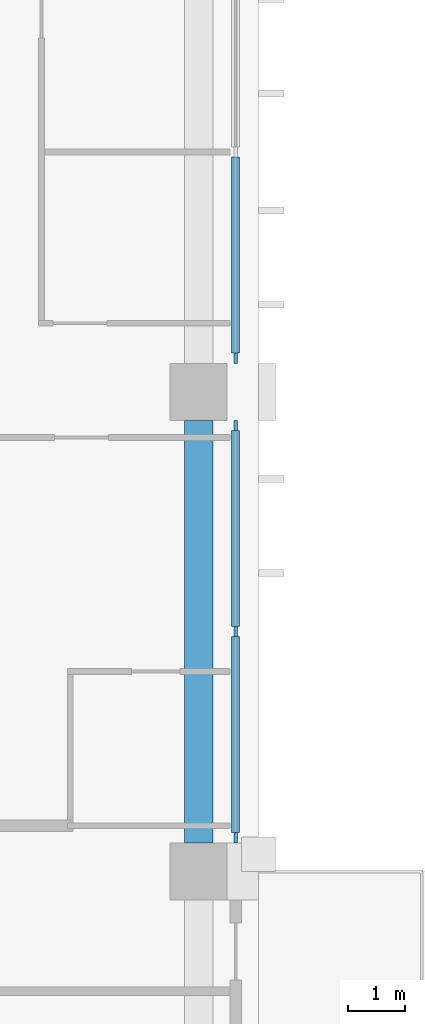
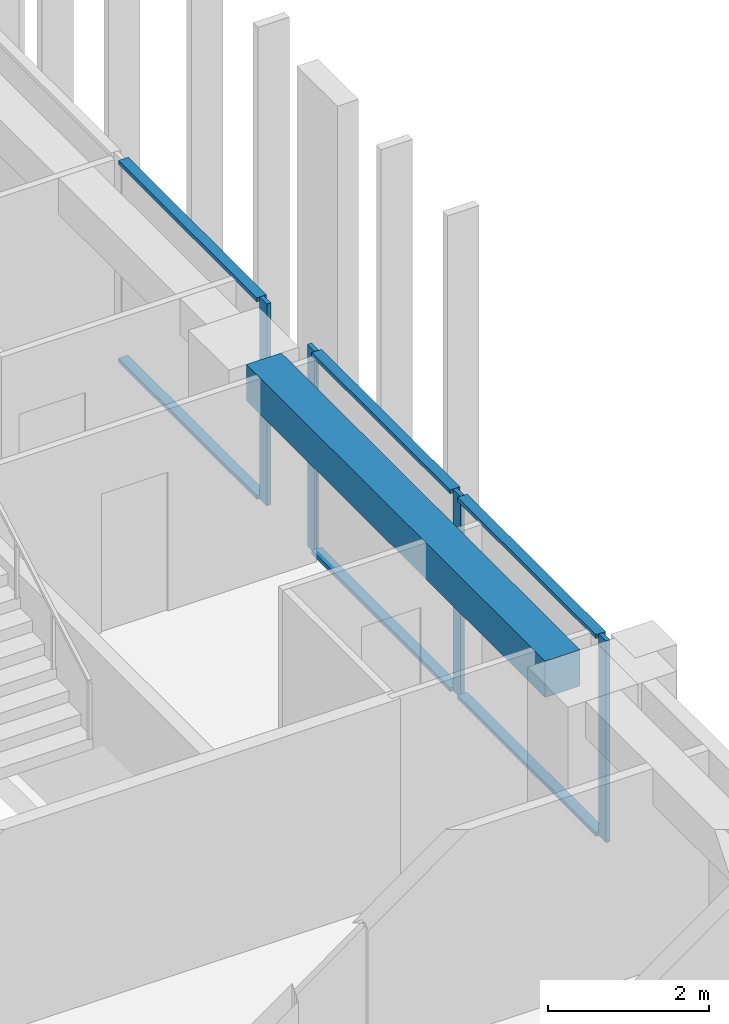
# One storey, part 4 of 18: 10 members, 1 beam, 2 elements without a shape of their own.
"""IFC4 building model written with IfcOpenShell, lengths in metres."""

from ifc_helpers import new_model, si_unit, direction, frame, origin, origin_2d, place, context, subcontext, project, spatial, rectangle, extrude, material, material_profile, profile_set, type_object, element, aggregate, save


model = new_model("IFC4")

# Units and contexts
model_context = context("Model", 3, precision=1e-05, world=origin(), true_north=direction((0.0, 1.0)))
body_context = subcontext(model_context, "Body", "Model", "MODEL_VIEW")
ifc_project = project(units=[si_unit("LENGTHUNIT", "METRE"), si_unit("AREAUNIT", "SQUARE_METRE"), si_unit("VOLUMEUNIT", "CUBIC_METRE"), si_unit("PLANEANGLEUNIT", "RADIAN"), si_unit("MASSUNIT", "GRAM", prefix="KILO")], contexts=[model_context])

# Site, building, storey
site_placement = place(None, origin())
site = spatial("IfcSite", under=ifc_project, at=site_placement, CompositionType="ELEMENT")
building_placement = place(site_placement, origin())
building = spatial("IfcBuilding", under=site, at=building_placement, Name="Vermilion Ogive Tower", CompositionType="ELEMENT")
storey_placement = place(building_placement, frame((0.0, 0.0, 185.89990234375)))
storey = spatial("IfcBuildingStorey", under=building, at=storey_placement, Name="L48", CompositionType="ELEMENT", Elevation=185.89990234375)

# Curtain wall, members
ifc_material_1 = material(Name="Low-iron laminated glazing in aluminium frame", Category="aluminium")
curtain_wall_type = type_object("IfcCurtainWallType", Name="Curtain wall CW7", PredefinedType="NOTDEFINED", material=ifc_material_1)
curtain_wall_1_placement = place(storey_placement, origin())
curtain_wall_1 = element("IfcCurtainWall", 1, at=curtain_wall_1_placement, inside=storey, type_object=curtain_wall_type, Name="Glazed skin E2", PredefinedType="NOTDEFINED")
ifc_material_2 = material(Name="Aluminium mullion", Category="aluminium")
ifc_material_profile_1 = material_profile(ifc_material_2, rectangle(XDim=0.06005859375, YDim=0.179931640625, at=origin_2d()), Name="AL 60x180")
ifc_profile_set_1 = profile_set([ifc_material_profile_1], Name="Aluminium mullion")
member_type_1 = type_object("IfcMemberType", Name="CW7 mullion 60x180", PredefinedType="MULLION", material=ifc_profile_set_1)
member_1_placement = place(storey_placement, frame((25.85009765625, -3.610107421875, 0.0), z_axis=(0.0, 0.0, 1.0), x_axis=(-1.0, 0.0, 0.0)))
member_1 = element("IfcMember", 2, at=member_1_placement, type_object=member_type_1, Name="CW7-E2 mullion 1", PredefinedType="MULLION", context=body_context, shape_type="SweptSolid", body=[
    extrude(rectangle(XDim=0.06005859375, YDim=0.179931640625, at=origin_2d()), origin(), (0.0, 0.0, 1.0), 3.050048828125),
])
member_2_placement = place(storey_placement, frame((25.85009765625, 0.0, 0.0), z_axis=(0.0, 0.0, 1.0), x_axis=(-1.0, 0.0, 0.0)))
member_2 = element("IfcMember", 3, at=member_2_placement, type_object=member_type_1, Name="CW7-E2 mullion 2", PredefinedType="MULLION", context=body_context, shape_type="SweptSolid", body=[
    extrude(rectangle(XDim=0.06005859375, YDim=0.179931640625, at=origin_2d()), origin(), (0.0, 0.0, 1.0), 3.050048828125),
])
member_3_placement = place(storey_placement, frame((25.85009765625, 3.610107421875, 0.0), z_axis=(0.0, 0.0, 1.0), x_axis=(-1.0, 0.0, 0.0)))
member_3 = element("IfcMember", 4, at=member_3_placement, type_object=member_type_1, Name="CW7-E2 mullion 3", PredefinedType="MULLION", context=body_context, shape_type="SweptSolid", body=[
    extrude(rectangle(XDim=0.06005859375, YDim=0.179931640625, at=origin_2d()), origin(), (0.0, 0.0, 1.0), 3.050048828125),
])

# Curtain wall, member
curtain_wall_2_placement = place(storey_placement, origin())
curtain_wall_2 = element("IfcCurtainWall", 5, at=curtain_wall_2_placement, inside=storey, type_object=curtain_wall_type, Name="Glazed skin E3", PredefinedType="NOTDEFINED")
member_4_placement = place(storey_placement, frame((25.85009765625, 4.7900390625, 0.0), z_axis=(0.0, 0.0, 1.0), x_axis=(-1.0, 0.0, 0.0)))
member_4 = element("IfcMember", 6, at=member_4_placement, type_object=member_type_1, Name="CW7-E3 mullion 1", PredefinedType="MULLION", context=body_context, shape_type="SweptSolid", body=[
    extrude(rectangle(XDim=0.06005859375, YDim=0.179931640625, at=origin_2d()), origin(), (0.0, 0.0, 1.0), 3.050048828125),
])

# Member
ifc_material_3 = material(Name="Aluminium transom", Category="aluminium")
ifc_material_profile_2 = material_profile(ifc_material_3, rectangle(XDim=0.139892578125, YDim=0.06005859375, at=origin_2d()), Name="AL 60x140")
ifc_profile_set_2 = profile_set([ifc_material_profile_2], Name="Aluminium transom")
member_type_2 = type_object("IfcMemberType", Name="CW7 transom 60x140", PredefinedType="USERDEFINED", material=ifc_profile_set_2)
member_5_placement = place(storey_placement, frame((25.85009765625, -3.52001953125, 0.030029296875), z_axis=(0.0, 1.0, 0.0), x_axis=(-1.0, 0.0, 0.0)))
member_5 = element("IfcMember", 7, at=member_5_placement, type_object=member_type_2, Name="CW7-E2 transom 1.1", ObjectType="TRANSOM", PredefinedType="USERDEFINED", context=body_context, shape_type="SweptSolid", body=[
    extrude(rectangle(XDim=0.139892578125, YDim=0.06005859375, at=origin_2d()), origin(), (0.0, 0.0, 1.0), 3.429931640625),
])

member_6_placement = place(storey_placement, frame((25.85009765625, -3.52001953125, 3.02001953125), z_axis=(0.0, 1.0, 0.0), x_axis=(-1.0, 0.0, 0.0)))
member_6 = element("IfcMember", 8, at=member_6_placement, type_object=member_type_2, Name="CW7-E2 transom 1.2", ObjectType="TRANSOM", PredefinedType="USERDEFINED", context=body_context, shape_type="SweptSolid", body=[
    extrude(rectangle(XDim=0.139892578125, YDim=0.06005859375, at=origin_2d()), origin(), (0.0, 0.0, 1.0), 3.429931640625),
])

member_7_placement = place(storey_placement, frame((25.85009765625, 0.090087890625, 0.030029296875), z_axis=(0.0, 1.0, 0.0), x_axis=(-1.0, 0.0, 0.0)))
member_7 = element("IfcMember", 9, at=member_7_placement, type_object=member_type_2, Name="CW7-E2 transom 2.1", ObjectType="TRANSOM", PredefinedType="USERDEFINED", context=body_context, shape_type="SweptSolid", body=[
    extrude(rectangle(XDim=0.139892578125, YDim=0.06005859375, at=origin_2d()), origin(), (0.0, 0.0, 1.0), 3.429931640625),
])

member_8_placement = place(storey_placement, frame((25.85009765625, 0.090087890625, 3.02001953125), z_axis=(0.0, 1.0, 0.0), x_axis=(-1.0, 0.0, 0.0)))
member_8 = element("IfcMember", 10, at=member_8_placement, type_object=member_type_2, Name="CW7-E2 transom 2.2", ObjectType="TRANSOM", PredefinedType="USERDEFINED", context=body_context, shape_type="SweptSolid", body=[
    extrude(rectangle(XDim=0.139892578125, YDim=0.06005859375, at=origin_2d()), origin(), (0.0, 0.0, 1.0), 3.429931640625),
])

aggregate(curtain_wall_1, [member_1, member_2, member_3, member_5, member_6, member_7, member_8])

member_9_placement = place(storey_placement, frame((25.85009765625, 4.8798828125, 0.030029296875), z_axis=(0.0, 1.0, 0.0), x_axis=(-1.0, 0.0, 0.0)))
member_9 = element("IfcMember", 11, at=member_9_placement, type_object=member_type_2, Name="CW7-E3 transom 1.1", ObjectType="TRANSOM", PredefinedType="USERDEFINED", context=body_context, shape_type="SweptSolid", body=[
    extrude(rectangle(XDim=0.139892578125, YDim=0.06005859375, at=origin_2d()), origin(), (0.0, 0.0, 1.0), 3.43017578125),
])

member_10_placement = place(storey_placement, frame((25.85009765625, 4.8798828125, 3.02001953125), z_axis=(0.0, 1.0, 0.0), x_axis=(-1.0, 0.0, 0.0)))
member_10 = element("IfcMember", 12, at=member_10_placement, type_object=member_type_2, Name="CW7-E3 transom 1.2", ObjectType="TRANSOM", PredefinedType="USERDEFINED", context=body_context, shape_type="SweptSolid", body=[
    extrude(rectangle(XDim=0.139892578125, YDim=0.06005859375, at=origin_2d()), origin(), (0.0, 0.0, 1.0), 3.43017578125),
])

aggregate(curtain_wall_2, [member_4, member_9, member_10])

# Beam
ifc_material_4 = material(Name="Concrete B45", Category="concrete")
ifc_material_profile_3 = material_profile(ifc_material_4, rectangle(XDim=0.5, YDim=0.550048828125, at=origin_2d()), Name="500 x 550")
ifc_profile_set_3 = profile_set([ifc_material_profile_3], Name="Concrete B45")
beam_type = type_object("IfcBeamType", Name="Edge beam 500 x 550 B45", PredefinedType="BEAM", material=ifc_profile_set_3)
beam_placement = place(storey_placement, frame((25.199951171875, -3.699951171875, 2.775146484375), z_axis=(0.0, 1.0, 0.0), x_axis=(-1.0, 0.0, 0.0)))
element("IfcBeam", 13, at=beam_placement, inside=storey, type_object=beam_type, Name="L48-EB-8", PredefinedType="BEAM", context=body_context, shape_type="SweptSolid", body=[
    extrude(rectangle(XDim=0.5, YDim=0.550048828125, at=origin_2d()), origin(), (0.0, 0.0, 1.0), 7.39990234375),
])

save(model, "model.ifc")
